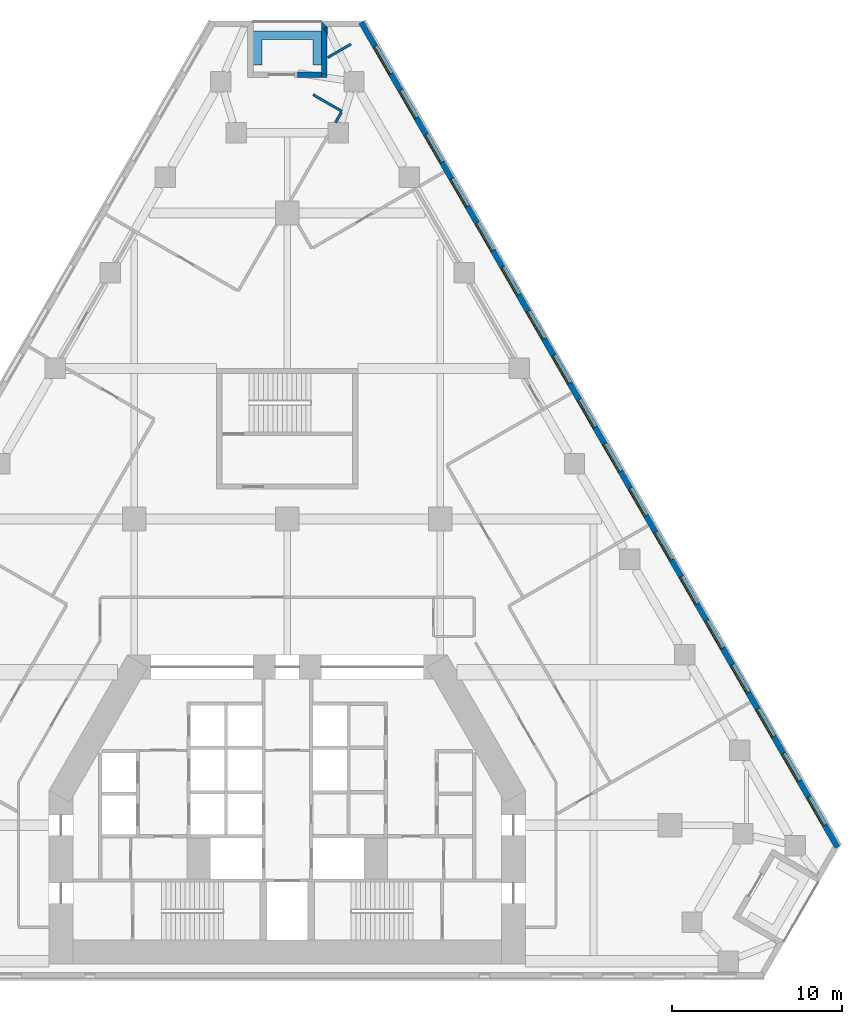
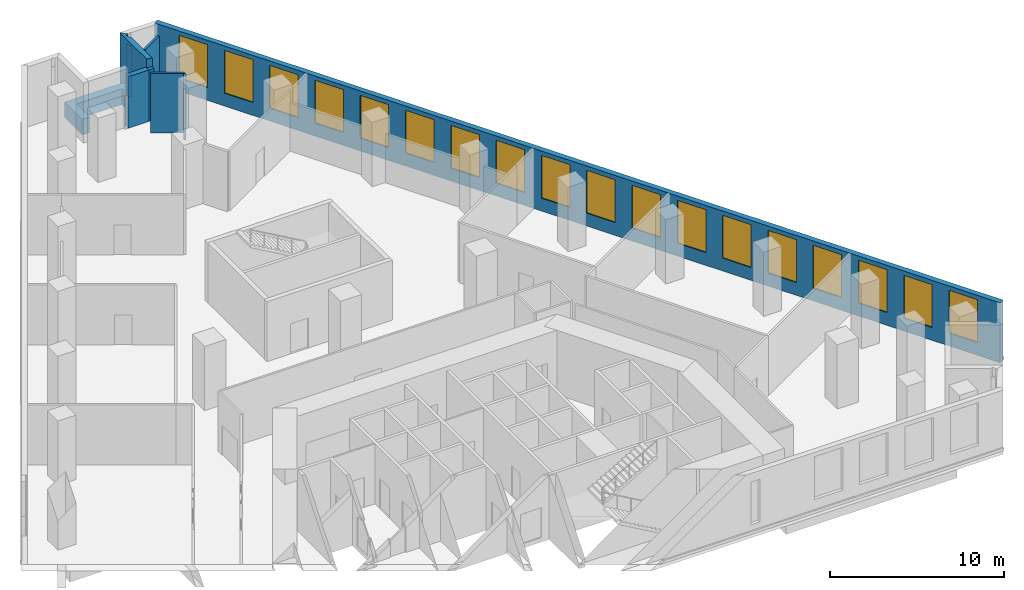
# One storey, part 11 of 14: 18 windows, 9 walls, 18 openings.
"""IFC4 building model written with IfcOpenShell, lengths in metres."""

from ifc_helpers import new_model, si_unit, direction, frame, frame_2d, origin, place, context, subcontext, project, spatial, polyline, rectangle, outline, extrude, material, layer, layer_set, type_object, element, fill, save


model = new_model("IFC4")

# Units and contexts
model_context = context("Model", 3, precision=1e-05, world=origin(), true_north=direction((0.0, 1.0)))
body_context = subcontext(model_context, "Body", "Model", "MODEL_VIEW")
ifc_project = project(units=[si_unit("LENGTHUNIT", "METRE"), si_unit("AREAUNIT", "SQUARE_METRE"), si_unit("VOLUMEUNIT", "CUBIC_METRE"), si_unit("PLANEANGLEUNIT", "RADIAN"), si_unit("MASSUNIT", "GRAM", prefix="KILO")], contexts=[model_context])

# Site, building, storey
site_placement = place(None, origin())
site = spatial("IfcSite", under=ifc_project, at=site_placement, CompositionType="ELEMENT")
building_placement = place(site_placement, origin())
building = spatial("IfcBuilding", under=site, at=building_placement, Name="Fogline Exchange Tower", CompositionType="ELEMENT")
storey_placement = place(building_placement, frame((0.0, 0.0, 29.5)))
storey = spatial("IfcBuildingStorey", under=building, at=storey_placement, Name="L05", CompositionType="ELEMENT", Elevation=29.5)

# Wall, openings, windows
ifc_material_1 = material(Name="Brick masonry", Category="masonry")
ifc_layer_1 = layer(ifc_material_1, 0.340087890625)
ifc_layer_set_1 = layer_set([ifc_layer_1], Name="FW1")
wall_type_1 = type_object("IfcWallType", Name="FW1", PredefinedType="SOLIDWALL", material=ifc_layer_set_1)
wall_1_placement = place(storey_placement, frame((32.352783203125, 7.709228515625, 0.0), z_axis=(0.0, 0.0, 1.0), x_axis=(-0.500000836325, 0.866024920931, 0.0)))
wall_1 = element("IfcWall", 1, at=wall_1_placement, inside=storey, type_object=wall_type_1, Name="Brick wall L05 E", PredefinedType="SOLIDWALL", context=body_context, shape_type="SweptSolid", body=[
    extrude(rectangle(XDim=56.0, YDim=0.340087890625, at=frame_2d((28.0, 0.0))), origin(), (0.0, 0.0, 1.0), 4.199951171875),
])
opening_1_placement = place(wall_1_placement, frame((1.5, 0.0, 0.89990234375)))
opening_1 = element("IfcOpeningElement", 2, at=opening_1_placement, cuts=wall_1, Name="Opening W2", PredefinedType="OPENING", context=body_context, shape_type="SweptSolid", body=[
    extrude(rectangle(XDim=1.885009765625, YDim=3.0, at=frame_2d((0.9423828125, 1.5))), frame((0.0, 0.18017578125, 0.0), z_axis=(0.0, -1.0, 0.0), x_axis=(1.0, 0.0, 0.0)), (0.0, 0.0, 1.0), 0.360107421875),
])
opening_2_placement = place(wall_1_placement, frame((4.5, 0.0, 0.89990234375)))
opening_2 = element("IfcOpeningElement", 3, at=opening_2_placement, cuts=wall_1, Name="Opening W2", PredefinedType="OPENING", context=body_context, shape_type="SweptSolid", body=[
    extrude(rectangle(XDim=1.885009765625, YDim=3.0, at=frame_2d((0.9423828125, 1.5))), frame((0.0, 0.18017578125, 0.0), z_axis=(0.0, -1.0, 0.0), x_axis=(1.0, 0.0, 0.0)), (0.0, 0.0, 1.0), 0.360107421875),
])
opening_3_placement = place(wall_1_placement, frame((7.5, 0.0, 0.89990234375)))
opening_3 = element("IfcOpeningElement", 4, at=opening_3_placement, cuts=wall_1, Name="Opening W2", PredefinedType="OPENING", context=body_context, shape_type="SweptSolid", body=[
    extrude(rectangle(XDim=1.885009765625, YDim=3.0, at=frame_2d((0.9423828125, 1.5))), frame((0.0, 0.18017578125, 0.0), z_axis=(0.0, -1.0, 0.0), x_axis=(1.0, 0.0, 0.0)), (0.0, 0.0, 1.0), 0.360107421875),
])
opening_4_placement = place(wall_1_placement, frame((10.5, 0.0, 0.89990234375)))
opening_4 = element("IfcOpeningElement", 5, at=opening_4_placement, cuts=wall_1, Name="Opening W2", PredefinedType="OPENING", context=body_context, shape_type="SweptSolid", body=[
    extrude(rectangle(XDim=1.885009765625, YDim=3.0, at=frame_2d((0.9423828125, 1.5))), frame((0.0, 0.18017578125, 0.0), z_axis=(0.0, -1.0, 0.0), x_axis=(1.0, 0.0, 0.0)), (0.0, 0.0, 1.0), 0.360107421875),
])
opening_5_placement = place(wall_1_placement, frame((13.5, 0.0, 0.89990234375)))
opening_5 = element("IfcOpeningElement", 6, at=opening_5_placement, cuts=wall_1, Name="Opening W2", PredefinedType="OPENING", context=body_context, shape_type="SweptSolid", body=[
    extrude(rectangle(XDim=1.885009765625, YDim=3.0, at=frame_2d((0.9423828125, 1.5))), frame((0.0, 0.18017578125, 0.0), z_axis=(0.0, -1.0, 0.0), x_axis=(1.0, 0.0, 0.0)), (0.0, 0.0, 1.0), 0.360107421875),
])
opening_6_placement = place(wall_1_placement, frame((16.5, 0.0, 0.89990234375)))
opening_6 = element("IfcOpeningElement", 7, at=opening_6_placement, cuts=wall_1, Name="Opening W2", PredefinedType="OPENING", context=body_context, shape_type="SweptSolid", body=[
    extrude(rectangle(XDim=1.885009765625, YDim=3.0, at=frame_2d((0.9423828125, 1.5))), frame((0.0, 0.18017578125, 0.0), z_axis=(0.0, -1.0, 0.0), x_axis=(1.0, 0.0, 0.0)), (0.0, 0.0, 1.0), 0.360107421875),
])
opening_7_placement = place(wall_1_placement, frame((19.5, 0.0, 0.89990234375)))
opening_7 = element("IfcOpeningElement", 8, at=opening_7_placement, cuts=wall_1, Name="Opening W2", PredefinedType="OPENING", context=body_context, shape_type="SweptSolid", body=[
    extrude(rectangle(XDim=1.885009765625, YDim=3.0, at=frame_2d((0.9423828125, 1.5))), frame((0.0, 0.18017578125, 0.0), z_axis=(0.0, -1.0, 0.0), x_axis=(1.0, 0.0, 0.0)), (0.0, 0.0, 1.0), 0.360107421875),
])
opening_8_placement = place(wall_1_placement, frame((22.5, 0.0, 0.89990234375)))
opening_8 = element("IfcOpeningElement", 9, at=opening_8_placement, cuts=wall_1, Name="Opening W2", PredefinedType="OPENING", context=body_context, shape_type="SweptSolid", body=[
    extrude(rectangle(XDim=1.885009765625, YDim=3.0, at=frame_2d((0.9423828125, 1.5))), frame((0.0, 0.18017578125, 0.0), z_axis=(0.0, -1.0, 0.0), x_axis=(1.0, 0.0, 0.0)), (0.0, 0.0, 1.0), 0.360107421875),
])
opening_9_placement = place(wall_1_placement, frame((25.5, 0.0, 0.89990234375)))
opening_9 = element("IfcOpeningElement", 10, at=opening_9_placement, cuts=wall_1, Name="Opening W2", PredefinedType="OPENING", context=body_context, shape_type="SweptSolid", body=[
    extrude(rectangle(XDim=1.885009765625, YDim=3.0, at=frame_2d((0.9423828125, 1.5))), frame((0.0, 0.18017578125, 0.0), z_axis=(0.0, -1.0, 0.0), x_axis=(1.0, 0.0, 0.0)), (0.0, 0.0, 1.0), 0.360107421875),
])
opening_10_placement = place(wall_1_placement, frame((28.5, 0.0, 0.89990234375)))
opening_10 = element("IfcOpeningElement", 11, at=opening_10_placement, cuts=wall_1, Name="Opening W2", PredefinedType="OPENING", context=body_context, shape_type="SweptSolid", body=[
    extrude(rectangle(XDim=1.885009765625, YDim=3.0, at=frame_2d((0.9423828125, 1.5))), frame((0.0, 0.18017578125, 0.0), z_axis=(0.0, -1.0, 0.0), x_axis=(1.0, 0.0, 0.0)), (0.0, 0.0, 1.0), 0.360107421875),
])
opening_11_placement = place(wall_1_placement, frame((31.5, 0.0, 0.89990234375)))
opening_11 = element("IfcOpeningElement", 12, at=opening_11_placement, cuts=wall_1, Name="Opening W2", PredefinedType="OPENING", context=body_context, shape_type="SweptSolid", body=[
    extrude(rectangle(XDim=1.885009765625, YDim=3.0, at=frame_2d((0.9423828125, 1.5))), frame((0.0, 0.18017578125, 0.0), z_axis=(0.0, -1.0, 0.0), x_axis=(1.0, 0.0, 0.0)), (0.0, 0.0, 1.0), 0.360107421875),
])
opening_12_placement = place(wall_1_placement, frame((34.5, 0.0, 0.89990234375)))
opening_12 = element("IfcOpeningElement", 13, at=opening_12_placement, cuts=wall_1, Name="Opening W2", PredefinedType="OPENING", context=body_context, shape_type="SweptSolid", body=[
    extrude(rectangle(XDim=1.885009765625, YDim=3.0, at=frame_2d((0.9423828125, 1.5))), frame((0.0, 0.18017578125, 0.0), z_axis=(0.0, -1.0, 0.0), x_axis=(1.0, 0.0, 0.0)), (0.0, 0.0, 1.0), 0.360107421875),
])
opening_13_placement = place(wall_1_placement, frame((37.5, 0.0, 0.89990234375)))
opening_13 = element("IfcOpeningElement", 14, at=opening_13_placement, cuts=wall_1, Name="Opening W2", PredefinedType="OPENING", context=body_context, shape_type="SweptSolid", body=[
    extrude(rectangle(XDim=1.885009765625, YDim=3.0, at=frame_2d((0.9423828125, 1.5))), frame((0.0, 0.18017578125, 0.0), z_axis=(0.0, -1.0, 0.0), x_axis=(1.0, 0.0, 0.0)), (0.0, 0.0, 1.0), 0.360107421875),
])
opening_14_placement = place(wall_1_placement, frame((40.5, 0.0, 0.89990234375)))
opening_14 = element("IfcOpeningElement", 15, at=opening_14_placement, cuts=wall_1, Name="Opening W2", PredefinedType="OPENING", context=body_context, shape_type="SweptSolid", body=[
    extrude(rectangle(XDim=1.885009765625, YDim=3.0, at=frame_2d((0.9423828125, 1.5))), frame((0.0, 0.18017578125, 0.0), z_axis=(0.0, -1.0, 0.0), x_axis=(1.0, 0.0, 0.0)), (0.0, 0.0, 1.0), 0.360107421875),
])
opening_15_placement = place(wall_1_placement, frame((43.5, 0.0, 0.89990234375)))
opening_15 = element("IfcOpeningElement", 16, at=opening_15_placement, cuts=wall_1, Name="Opening W2", PredefinedType="OPENING", context=body_context, shape_type="SweptSolid", body=[
    extrude(rectangle(XDim=1.885009765625, YDim=3.0, at=frame_2d((0.9423828125, 1.5))), frame((0.0, 0.18017578125, 0.0), z_axis=(0.0, -1.0, 0.0), x_axis=(1.0, 0.0, 0.0)), (0.0, 0.0, 1.0), 0.360107421875),
])
opening_16_placement = place(wall_1_placement, frame((46.5, 0.0, 0.89990234375)))
opening_16 = element("IfcOpeningElement", 17, at=opening_16_placement, cuts=wall_1, Name="Opening W2", PredefinedType="OPENING", context=body_context, shape_type="SweptSolid", body=[
    extrude(rectangle(XDim=1.885009765625, YDim=3.0, at=frame_2d((0.9423828125, 1.5))), frame((0.0, 0.18017578125, 0.0), z_axis=(0.0, -1.0, 0.0), x_axis=(1.0, 0.0, 0.0)), (0.0, 0.0, 1.0), 0.360107421875),
])
opening_17_placement = place(wall_1_placement, frame((49.5, 0.0, 0.89990234375)))
opening_17 = element("IfcOpeningElement", 18, at=opening_17_placement, cuts=wall_1, Name="Opening W2", PredefinedType="OPENING", context=body_context, shape_type="SweptSolid", body=[
    extrude(rectangle(XDim=1.885009765625, YDim=3.0, at=frame_2d((0.9423828125, 1.5))), frame((0.0, 0.18017578125, 0.0), z_axis=(0.0, -1.0, 0.0), x_axis=(1.0, 0.0, 0.0)), (0.0, 0.0, 1.0), 0.360107421875),
])
opening_18_placement = place(wall_1_placement, frame((52.5, 0.0, 0.89990234375)))
opening_18 = element("IfcOpeningElement", 19, at=opening_18_placement, cuts=wall_1, Name="Opening W2", PredefinedType="OPENING", context=body_context, shape_type="SweptSolid", body=[
    extrude(rectangle(XDim=1.885009765625, YDim=3.0, at=frame_2d((0.9423828125, 1.5))), frame((0.0, 0.18017578125, 0.0), z_axis=(0.0, -1.0, 0.0), x_axis=(1.0, 0.0, 0.0)), (0.0, 0.0, 1.0), 0.360107421875),
])
ifc_material_2 = material(Name="Aluminium and glass", Category="aluminium")
window_type = type_object("IfcWindowType", Name="W2", PartitioningType="SINGLE_PANEL", PredefinedType="WINDOW", material=ifc_material_2)
window_1_placement = place(opening_1_placement, origin())
window_1 = element("IfcWindow", 20, at=window_1_placement, inside=storey, type_object=window_type, Name="W2 W2", OverallHeight=3.0, OverallWidth=1.885009765625, PartitioningType="SINGLE_PANEL", PredefinedType="WINDOW", context=body_context, shape_type="SweptSolid", body=[
    extrude(rectangle(XDim=1.885009765625, YDim=3.0, at=frame_2d((0.9423828125, 1.5))), frame((0.0, 0.110107421875, 0.0), z_axis=(0.0, -1.0, 0.0), x_axis=(1.0, 0.0, 0.0)), (0.0, 0.0, 1.0), 0.06005859375),
])
fill(opening_1, window_1)
window_2_placement = place(opening_2_placement, origin())
window_2 = element("IfcWindow", 21, at=window_2_placement, inside=storey, type_object=window_type, Name="W2 W2", OverallHeight=3.0, OverallWidth=1.885009765625, PartitioningType="SINGLE_PANEL", PredefinedType="WINDOW", context=body_context, shape_type="SweptSolid", body=[
    extrude(rectangle(XDim=1.885009765625, YDim=3.0, at=frame_2d((0.9423828125, 1.5))), frame((0.0, 0.110107421875, 0.0), z_axis=(0.0, -1.0, 0.0), x_axis=(1.0, 0.0, 0.0)), (0.0, 0.0, 1.0), 0.06005859375),
])
fill(opening_2, window_2)
window_3_placement = place(opening_3_placement, origin())
window_3 = element("IfcWindow", 22, at=window_3_placement, inside=storey, type_object=window_type, Name="W2 W2", OverallHeight=3.0, OverallWidth=1.885009765625, PartitioningType="SINGLE_PANEL", PredefinedType="WINDOW", context=body_context, shape_type="SweptSolid", body=[
    extrude(rectangle(XDim=1.885009765625, YDim=3.0, at=frame_2d((0.9423828125, 1.5))), frame((0.0, 0.110107421875, 0.0), z_axis=(0.0, -1.0, 0.0), x_axis=(1.0, 0.0, 0.0)), (0.0, 0.0, 1.0), 0.06005859375),
])
fill(opening_3, window_3)
window_4_placement = place(opening_4_placement, origin())
window_4 = element("IfcWindow", 23, at=window_4_placement, inside=storey, type_object=window_type, Name="W2 W2", OverallHeight=3.0, OverallWidth=1.885009765625, PartitioningType="SINGLE_PANEL", PredefinedType="WINDOW", context=body_context, shape_type="SweptSolid", body=[
    extrude(rectangle(XDim=1.885009765625, YDim=3.0, at=frame_2d((0.9423828125, 1.5))), frame((0.0, 0.110107421875, 0.0), z_axis=(0.0, -1.0, 0.0), x_axis=(1.0, 0.0, 0.0)), (0.0, 0.0, 1.0), 0.06005859375),
])
fill(opening_4, window_4)
window_5_placement = place(opening_5_placement, origin())
window_5 = element("IfcWindow", 24, at=window_5_placement, inside=storey, type_object=window_type, Name="W2 W2", OverallHeight=3.0, OverallWidth=1.885009765625, PartitioningType="SINGLE_PANEL", PredefinedType="WINDOW", context=body_context, shape_type="SweptSolid", body=[
    extrude(rectangle(XDim=1.885009765625, YDim=3.0, at=frame_2d((0.9423828125, 1.5))), frame((0.0, 0.110107421875, 0.0), z_axis=(0.0, -1.0, 0.0), x_axis=(1.0, 0.0, 0.0)), (0.0, 0.0, 1.0), 0.06005859375),
])
fill(opening_5, window_5)
window_6_placement = place(opening_6_placement, origin())
window_6 = element("IfcWindow", 25, at=window_6_placement, inside=storey, type_object=window_type, Name="W2 W2", OverallHeight=3.0, OverallWidth=1.885009765625, PartitioningType="SINGLE_PANEL", PredefinedType="WINDOW", context=body_context, shape_type="SweptSolid", body=[
    extrude(rectangle(XDim=1.885009765625, YDim=3.0, at=frame_2d((0.9423828125, 1.5))), frame((0.0, 0.110107421875, 0.0), z_axis=(0.0, -1.0, 0.0), x_axis=(1.0, 0.0, 0.0)), (0.0, 0.0, 1.0), 0.06005859375),
])
fill(opening_6, window_6)
window_7_placement = place(opening_7_placement, origin())
window_7 = element("IfcWindow", 26, at=window_7_placement, inside=storey, type_object=window_type, Name="W2 W2", OverallHeight=3.0, OverallWidth=1.885009765625, PartitioningType="SINGLE_PANEL", PredefinedType="WINDOW", context=body_context, shape_type="SweptSolid", body=[
    extrude(rectangle(XDim=1.885009765625, YDim=3.0, at=frame_2d((0.9423828125, 1.5))), frame((0.0, 0.110107421875, 0.0), z_axis=(0.0, -1.0, 0.0), x_axis=(1.0, 0.0, 0.0)), (0.0, 0.0, 1.0), 0.06005859375),
])
fill(opening_7, window_7)
window_8_placement = place(opening_8_placement, origin())
window_8 = element("IfcWindow", 27, at=window_8_placement, inside=storey, type_object=window_type, Name="W2 W2", OverallHeight=3.0, OverallWidth=1.885009765625, PartitioningType="SINGLE_PANEL", PredefinedType="WINDOW", context=body_context, shape_type="SweptSolid", body=[
    extrude(rectangle(XDim=1.885009765625, YDim=3.0, at=frame_2d((0.9423828125, 1.5))), frame((0.0, 0.110107421875, 0.0), z_axis=(0.0, -1.0, 0.0), x_axis=(1.0, 0.0, 0.0)), (0.0, 0.0, 1.0), 0.06005859375),
])
fill(opening_8, window_8)
window_9_placement = place(opening_9_placement, origin())
window_9 = element("IfcWindow", 28, at=window_9_placement, inside=storey, type_object=window_type, Name="W2 W2", OverallHeight=3.0, OverallWidth=1.885009765625, PartitioningType="SINGLE_PANEL", PredefinedType="WINDOW", context=body_context, shape_type="SweptSolid", body=[
    extrude(rectangle(XDim=1.885009765625, YDim=3.0, at=frame_2d((0.9423828125, 1.5))), frame((0.0, 0.110107421875, 0.0), z_axis=(0.0, -1.0, 0.0), x_axis=(1.0, 0.0, 0.0)), (0.0, 0.0, 1.0), 0.06005859375),
])
fill(opening_9, window_9)
window_10_placement = place(opening_10_placement, origin())
window_10 = element("IfcWindow", 29, at=window_10_placement, inside=storey, type_object=window_type, Name="W2 W2", OverallHeight=3.0, OverallWidth=1.885009765625, PartitioningType="SINGLE_PANEL", PredefinedType="WINDOW", context=body_context, shape_type="SweptSolid", body=[
    extrude(rectangle(XDim=1.885009765625, YDim=3.0, at=frame_2d((0.9423828125, 1.5))), frame((0.0, 0.110107421875, 0.0), z_axis=(0.0, -1.0, 0.0), x_axis=(1.0, 0.0, 0.0)), (0.0, 0.0, 1.0), 0.06005859375),
])
fill(opening_10, window_10)
window_11_placement = place(opening_11_placement, origin())
window_11 = element("IfcWindow", 30, at=window_11_placement, inside=storey, type_object=window_type, Name="W2 W2", OverallHeight=3.0, OverallWidth=1.885009765625, PartitioningType="SINGLE_PANEL", PredefinedType="WINDOW", context=body_context, shape_type="SweptSolid", body=[
    extrude(rectangle(XDim=1.885009765625, YDim=3.0, at=frame_2d((0.9423828125, 1.5))), frame((0.0, 0.110107421875, 0.0), z_axis=(0.0, -1.0, 0.0), x_axis=(1.0, 0.0, 0.0)), (0.0, 0.0, 1.0), 0.06005859375),
])
fill(opening_11, window_11)
window_12_placement = place(opening_12_placement, origin())
window_12 = element("IfcWindow", 31, at=window_12_placement, inside=storey, type_object=window_type, Name="W2 W2", OverallHeight=3.0, OverallWidth=1.885009765625, PartitioningType="SINGLE_PANEL", PredefinedType="WINDOW", context=body_context, shape_type="SweptSolid", body=[
    extrude(rectangle(XDim=1.885009765625, YDim=3.0, at=frame_2d((0.9423828125, 1.5))), frame((0.0, 0.110107421875, 0.0), z_axis=(0.0, -1.0, 0.0), x_axis=(1.0, 0.0, 0.0)), (0.0, 0.0, 1.0), 0.06005859375),
])
fill(opening_12, window_12)
window_13_placement = place(opening_13_placement, origin())
window_13 = element("IfcWindow", 32, at=window_13_placement, inside=storey, type_object=window_type, Name="W2 W2", OverallHeight=3.0, OverallWidth=1.885009765625, PartitioningType="SINGLE_PANEL", PredefinedType="WINDOW", context=body_context, shape_type="SweptSolid", body=[
    extrude(rectangle(XDim=1.885009765625, YDim=3.0, at=frame_2d((0.9423828125, 1.5))), frame((0.0, 0.110107421875, 0.0), z_axis=(0.0, -1.0, 0.0), x_axis=(1.0, 0.0, 0.0)), (0.0, 0.0, 1.0), 0.06005859375),
])
fill(opening_13, window_13)
window_14_placement = place(opening_14_placement, origin())
window_14 = element("IfcWindow", 33, at=window_14_placement, inside=storey, type_object=window_type, Name="W2 W2", OverallHeight=3.0, OverallWidth=1.885009765625, PartitioningType="SINGLE_PANEL", PredefinedType="WINDOW", context=body_context, shape_type="SweptSolid", body=[
    extrude(rectangle(XDim=1.885009765625, YDim=3.0, at=frame_2d((0.9423828125, 1.5))), frame((0.0, 0.110107421875, 0.0), z_axis=(0.0, -1.0, 0.0), x_axis=(1.0, 0.0, 0.0)), (0.0, 0.0, 1.0), 0.06005859375),
])
fill(opening_14, window_14)
window_15_placement = place(opening_15_placement, origin())
window_15 = element("IfcWindow", 34, at=window_15_placement, inside=storey, type_object=window_type, Name="W2 W2", OverallHeight=3.0, OverallWidth=1.885009765625, PartitioningType="SINGLE_PANEL", PredefinedType="WINDOW", context=body_context, shape_type="SweptSolid", body=[
    extrude(rectangle(XDim=1.885009765625, YDim=3.0, at=frame_2d((0.9423828125, 1.5))), frame((0.0, 0.110107421875, 0.0), z_axis=(0.0, -1.0, 0.0), x_axis=(1.0, 0.0, 0.0)), (0.0, 0.0, 1.0), 0.06005859375),
])
fill(opening_15, window_15)
window_16_placement = place(opening_16_placement, origin())
window_16 = element("IfcWindow", 35, at=window_16_placement, inside=storey, type_object=window_type, Name="W2 W2", OverallHeight=3.0, OverallWidth=1.885009765625, PartitioningType="SINGLE_PANEL", PredefinedType="WINDOW", context=body_context, shape_type="SweptSolid", body=[
    extrude(rectangle(XDim=1.885009765625, YDim=3.0, at=frame_2d((0.9423828125, 1.5))), frame((0.0, 0.110107421875, 0.0), z_axis=(0.0, -1.0, 0.0), x_axis=(1.0, 0.0, 0.0)), (0.0, 0.0, 1.0), 0.06005859375),
])
fill(opening_16, window_16)
window_17_placement = place(opening_17_placement, origin())
window_17 = element("IfcWindow", 36, at=window_17_placement, inside=storey, type_object=window_type, Name="W2 W2", OverallHeight=3.0, OverallWidth=1.885009765625, PartitioningType="SINGLE_PANEL", PredefinedType="WINDOW", context=body_context, shape_type="SweptSolid", body=[
    extrude(rectangle(XDim=1.885009765625, YDim=3.0, at=frame_2d((0.9423828125, 1.5))), frame((0.0, 0.110107421875, 0.0), z_axis=(0.0, -1.0, 0.0), x_axis=(1.0, 0.0, 0.0)), (0.0, 0.0, 1.0), 0.06005859375),
])
fill(opening_17, window_17)
window_18_placement = place(opening_18_placement, origin())
window_18 = element("IfcWindow", 37, at=window_18_placement, inside=storey, type_object=window_type, Name="W2 W2", OverallHeight=3.0, OverallWidth=1.885009765625, PartitioningType="SINGLE_PANEL", PredefinedType="WINDOW", context=body_context, shape_type="SweptSolid", body=[
    extrude(rectangle(XDim=1.885009765625, YDim=3.0, at=frame_2d((0.9423828125, 1.5))), frame((0.0, 0.110107421875, 0.0), z_axis=(0.0, -1.0, 0.0), x_axis=(1.0, 0.0, 0.0)), (0.0, 0.0, 1.0), 0.06005859375),
])
fill(opening_18, window_18)

# Walls
wall_2_placement = place(storey_placement, origin())
element("IfcWall", 38, at=wall_2_placement, inside=storey, type_object=wall_type_1, Name="Brick wall L05 N-s1", PredefinedType="SOLIDWALL", context=body_context, shape_type="SweptSolid", body=[
    extrude(outline(polyline([(2.340576171875, 55.473876953125), (2.16064453125, 55.83984375), (2.340576171875, 55.928466796875), (2.340576171875, 55.473876953125)])), origin(), (0.0, 0.0, 1.0), 3.60009765625),
])
wall_3_placement = place(storey_placement, origin())
element("IfcWall", 39, at=wall_3_placement, inside=storey, type_object=wall_type_1, Name="Brick wall L05 N-s1", PredefinedType="SOLIDWALL", context=body_context, shape_type="SweptSolid", body=[
    extrude(outline(polyline([(1.99951171875, 53.209716796875), (2.340576171875, 53.1572265625), (2.340576171875, 52.951171875), (1.99951171875, 52.951171875), (1.99951171875, 53.209716796875)])), origin(), (0.0, 0.0, 1.0), 3.60009765625),
])
wall_4_placement = place(storey_placement, origin())
element("IfcWall", 40, at=wall_4_placement, inside=storey, type_object=wall_type_1, Name="Brick wall L05 N-s1", PredefinedType="SOLIDWALL", context=body_context, shape_type="SweptSolid", body=[
    extrude(outline(polyline([(1.99951171875, 56.292724609375), (1.999755859375, 56.292724609375), (2.340576171875, 55.951904296875), (2.340576171875, 55.928466796875), (2.16064453125, 55.83984375), (2.340576171875, 55.473876953125), (2.340576171875, 53.1572265625), (1.99951171875, 53.209716796875), (1.99951171875, 56.292724609375)])), origin(), (0.0, 0.0, 1.0), 4.199951171875),
])
wall_5_placement = place(storey_placement, frame((2.0, 53.12158203125, 0.0), z_axis=(0.0, 0.0, 1.0), x_axis=(-1.0, 0.0, 0.0)))
element("IfcWall", 41, at=wall_5_placement, inside=storey, type_object=wall_type_1, Name="Brick wall L05 N-bk", PredefinedType="SOLIDWALL", context=body_context, shape_type="SweptSolid", body=[
    extrude(rectangle(XDim=1.38671875, YDim=0.340087890625, at=frame_2d((0.693359375, 0.0))), origin(), (0.0, 0.0, 1.0), 3.60009765625),
])
ifc_material_3 = material(Name="Concrete C30", Category="concrete")
ifc_layer_2 = layer(ifc_material_3, 0.199951171875)
ifc_layer_set_2 = layer_set([ifc_layer_2], Name="PL1")
wall_type_2 = type_object("IfcWallType", Name="PL1", PredefinedType="USERDEFINED", material=ifc_layer_set_2)
wall_6_placement = place(storey_placement, origin())
element("IfcWall", 42, at=wall_6_placement, inside=storey, type_object=wall_type_2, Name="PLANTER balcony L05 N", ObjectType="PLANTER", PredefinedType="USERDEFINED", context=body_context, shape_type="SweptSolid", body=[
    extrude(outline(polyline([(-1.5, 55.691650390625), (-2.0, 55.691650390625), (-2.0, 55.191650390625), (-2.0, 53.691650390625), (-1.5, 53.691650390625), (-1.5, 55.191650390625), (1.5, 55.191650390625), (1.5, 53.691650390625), (2.0, 53.691650390625), (2.0, 55.191650390625), (2.0, 55.691650390625), (1.5, 55.691650390625), (-1.5, 55.691650390625)])), origin(), (0.0, 0.0, 1.0), 1.10009765625),
])
ifc_material_4 = material(Name="Plasterboard demising partition with mineral wool and acoustic board")
ifc_layer_3 = layer(ifc_material_4, 0.14990234375)
ifc_layer_set_3 = layer_set([ifc_layer_3], Name="PW3")
wall_type_3 = type_object("IfcWallType", Name="PW3", PredefinedType="PARTITIONING", material=ifc_layer_set_3)
wall_7_placement = place(storey_placement, frame((3.743408203125, 54.92236328125, 0.0), z_axis=(0.0, 0.0, 1.0), x_axis=(-0.866052668871, -0.499952772512, 0.0)))
element("IfcWall", 43, at=wall_7_placement, inside=storey, type_object=wall_type_3, Name="wall-L05-W018", PredefinedType="PARTITIONING", context=body_context, shape_type="SweptSolid", body=[
    extrude(rectangle(XDim=1.590576171875, YDim=0.14990234375, at=frame_2d((0.79541015625, 0.0))), origin(), (0.0, 0.0, 1.0), 4.199951171875),
])
wall_8_placement = place(storey_placement, frame((2.83251953125, 50.311767578125, 0.0), z_axis=(0.0, 0.0, 1.0), x_axis=(0.5001118933, 0.865960792519, 0.0)))
element("IfcWall", 44, at=wall_8_placement, inside=storey, type_object=wall_type_3, Name="wall-L05-W025", PredefinedType="PARTITIONING", context=body_context, shape_type="SweptSolid", body=[
    extrude(rectangle(XDim=0.687255859375, YDim=0.14990234375, at=frame_2d((0.34375, 0.0))), origin(), (0.0, 0.0, 1.0), 4.199951171875),
])
wall_9_placement = place(storey_placement, frame((3.213623046875, 50.97216796875, 0.0), z_axis=(0.0, 0.0, 1.0), x_axis=(-0.866004557827, 0.500036104519, 0.0)))
element("IfcWall", 45, at=wall_9_placement, inside=storey, type_object=wall_type_3, Name="wall-L05-W026", PredefinedType="PARTITIONING", context=body_context, shape_type="SweptSolid", body=[
    extrude(rectangle(XDim=1.953857421875, YDim=0.14990234375, at=frame_2d((0.97705078125, 0.0))), origin(), (0.0, 0.0, 1.0), 4.199951171875),
])

save(model, "model.ifc")
